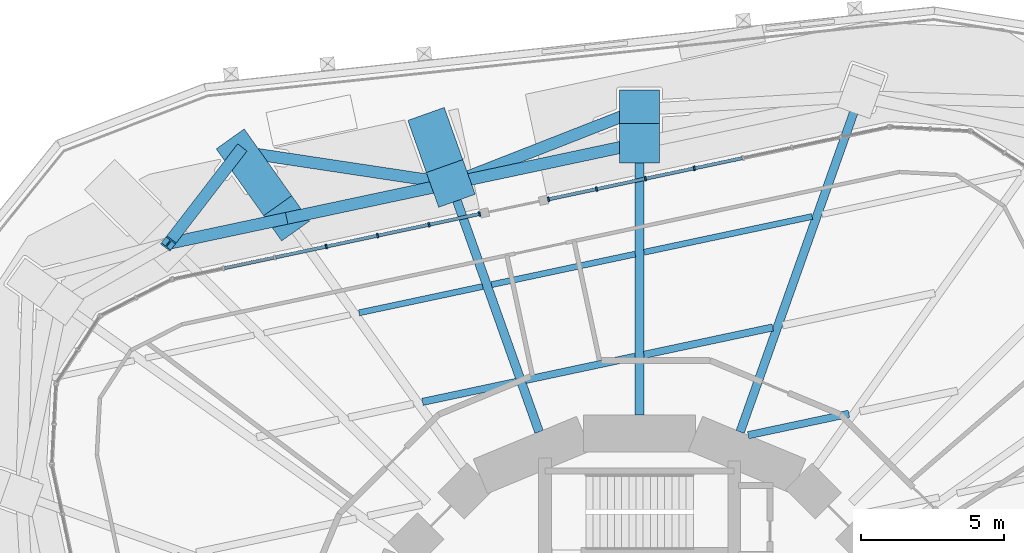
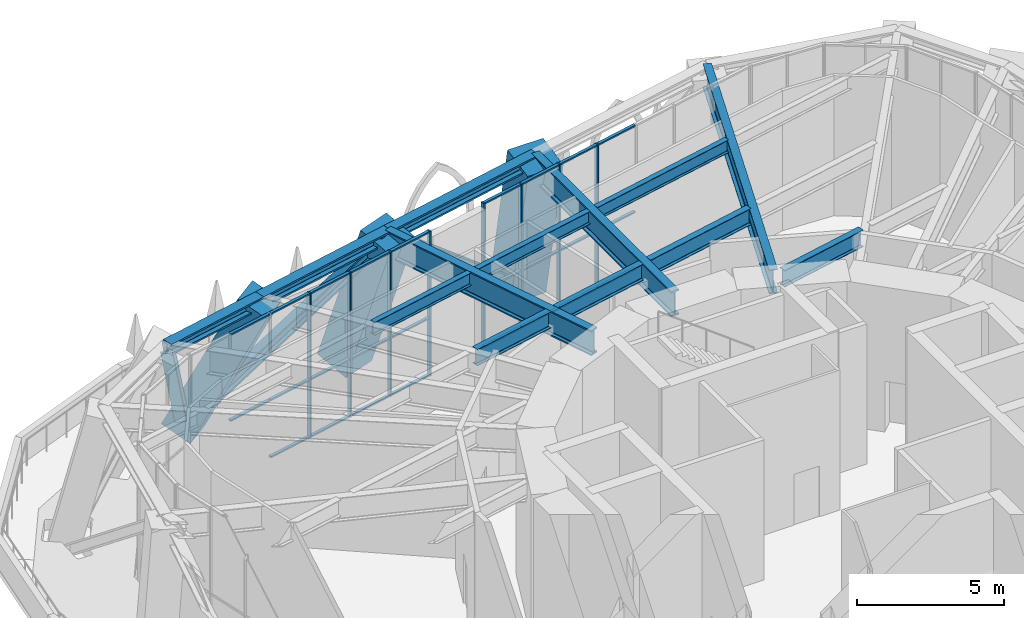
# One storey, part 9 of 23: 43 members, 10 beams, 2 elements without a shape of their own.
"""IFC4 building model written with IfcOpenShell, lengths in metres."""

from ifc_helpers import new_model, si_unit, direction, frame, origin, origin_2d, place, context, subcontext, project, spatial, rectangle, i_section, extrude, material, material_profile, profile_set, type_object, element, aggregate, save


model = new_model("IFC4")

# Units and contexts
model_context = context("Model", 3, precision=1e-05, world=origin(), true_north=direction((0.0, 1.0)))
body_context = subcontext(model_context, "Body", "Model", "MODEL_VIEW")
ifc_project = project(units=[si_unit("LENGTHUNIT", "METRE"), si_unit("AREAUNIT", "SQUARE_METRE"), si_unit("VOLUMEUNIT", "CUBIC_METRE"), si_unit("PLANEANGLEUNIT", "RADIAN"), si_unit("MASSUNIT", "GRAM", prefix="KILO")], contexts=[model_context])

# Site, building, storey
site_placement = place(None, origin())
site = spatial("IfcSite", under=ifc_project, at=site_placement, CompositionType="ELEMENT")
building_placement = place(site_placement, origin())
building = spatial("IfcBuilding", under=site, at=building_placement, Name="Nakasero Lantern House", CompositionType="ELEMENT")
storey_placement = place(building_placement, frame((0.0, 0.0, 95.14990234375)))
storey = spatial("IfcBuildingStorey", under=building, at=storey_placement, Name="L23", CompositionType="ELEMENT", Elevation=95.14990234375)

# Members
ifc_material_1 = material(Name="Steel S355", Category="steel")
ifc_material_profile_1 = material_profile(ifc_material_1, i_section(OverallWidth=0.41845703125, OverallDepth=0.45556640625, WebThickness=0.0419921875, FlangeThickness=0.0673828125, FilletRadius=0.01513671875, at=origin_2d()), Name="UC 356x406x551")
ifc_profile_set_1 = profile_set([ifc_material_profile_1], Name="Steel S355")
member_type_1 = type_object("IfcMemberType", Name="Belt truss chord UC 356x406x551", PredefinedType="CHORD", material=ifc_profile_set_1)
member_1_placement = place(storey_placement, frame((0.0, 19.935546875, 5.572265625), z_axis=(-0.978151574702, -0.20789299389, 0.0), x_axis=(0.20789299389, -0.978151574702, 0.0)))
element("IfcMember", 1, at=member_1_placement, inside=storey, type_object=member_type_1, Name="Belt truss top chord T2 B3-C09T", PredefinedType="CHORD", context=body_context, shape_type="SweptSolid", body=[
    extrude(i_section(OverallWidth=0.41845703125, OverallDepth=0.45556640625, WebThickness=0.0419921875, FlangeThickness=0.0673828125, FilletRadius=0.01513671875, at=origin_2d()), origin(), (0.0, 0.0, 1.0), 6.7373046875),
])
member_2_placement = place(storey_placement, frame((-6.590087890625, 18.534912109375, 5.572265625), z_axis=(-0.978149626621, -0.207902159541, 0.0), x_axis=(0.207902159541, -0.978149626621, 0.0)))
element("IfcMember", 2, at=member_2_placement, inside=storey, type_object=member_type_1, Name="Belt truss top chord T2 B3-C10T", PredefinedType="CHORD", context=body_context, shape_type="SweptSolid", body=[
    extrude(i_section(OverallWidth=0.41845703125, OverallDepth=0.45556640625, WebThickness=0.0419921875, FlangeThickness=0.0673828125, FilletRadius=0.01513671875, at=origin_2d()), origin(), (0.0, 0.0, 1.0), 5.852783203125),
])
member_3_placement = place(storey_placement, frame((-12.31494140625, 17.318115234375, 5.572265625), z_axis=(-0.978138252658, -0.207955665195, 0.0), x_axis=(0.207955665195, -0.978138252658, 0.0)))
element("IfcMember", 3, at=member_3_placement, inside=storey, type_object=member_type_1, Name="Belt truss top chord T2 B3-C11T", PredefinedType="CHORD", context=body_context, shape_type="SweptSolid", body=[
    extrude(i_section(OverallWidth=0.41845703125, OverallDepth=0.45556640625, WebThickness=0.0419921875, FlangeThickness=0.0673828125, FilletRadius=0.01513671875, at=origin_2d()), origin(), (0.0, 0.0, 1.0), 4.21826171875),
])
ifc_material_2 = material(Name="Steel S355", Category="steel")
ifc_material_profile_2 = material_profile(ifc_material_2, i_section(OverallWidth=0.412109375, OverallDepth=0.4365234375, WebThickness=0.035888671875, FlangeThickness=0.05810546875, FilletRadius=0.01513671875, at=origin_2d()), Name="UC 356x406x467")
ifc_profile_set_2 = profile_set([ifc_material_profile_2], Name="Steel S355")
member_type_2 = type_object("IfcMemberType", Name="Belt truss diagonal UC 356x406x467", PredefinedType="BRACE", material=ifc_profile_set_2)
member_4_placement = place(storey_placement, frame((0.0, 21.11572265625, -0.427734375), z_axis=(-0.710256558439, -0.278150708675, 0.646658955292), x_axis=(0.364654263958, -0.931142989974, 0.0)))
element("IfcMember", 4, at=member_4_placement, inside=storey, type_object=member_type_2, Name="Belt truss diagonal T2-09", PredefinedType="BRACE", context=body_context, shape_type="SweptSolid", body=[
    extrude(i_section(OverallWidth=0.412109375, OverallDepth=0.4365234375, WebThickness=0.035888671875, FlangeThickness=0.05810546875, FilletRadius=0.01513671875, at=origin_2d()), origin(), (0.0, 0.0, 1.0), 9.278564453125),
])
member_5_placement = place(storey_placement, frame((-6.590087890625, 18.534912109375, 5.572265625), z_axis=(-0.770726073188, 0.116141694432, -0.626492160305), x_axis=(-0.149008934664, -0.988835849568, 0.0)))
element("IfcMember", 5, at=member_5_placement, inside=storey, type_object=member_type_2, Name="Belt truss diagonal T2-10", PredefinedType="BRACE", context=body_context, shape_type="SweptSolid", body=[
    extrude(i_section(OverallWidth=0.412109375, OverallDepth=0.4365234375, WebThickness=0.035888671875, FlangeThickness=0.05810546875, FilletRadius=0.01513671875, at=origin_2d()), origin(), (0.0, 0.0, 1.0), 9.5771484375),
])
member_6_placement = place(storey_placement, frame((-13.971435546875, 19.647216796875, -0.427734375), z_axis=(-0.341215380998, -0.44302339087, 0.8290369949), x_axis=(0.792253817292, -0.610191682168, 0.0)))
element("IfcMember", 6, at=member_6_placement, inside=storey, type_object=member_type_2, Name="Belt truss diagonal T2-11", PredefinedType="BRACE", context=body_context, shape_type="SweptSolid", body=[
    extrude(i_section(OverallWidth=0.412109375, OverallDepth=0.4365234375, WebThickness=0.035888671875, FlangeThickness=0.05810546875, FilletRadius=0.01513671875, at=origin_2d()), origin(), (0.0, 0.0, 1.0), 7.2373046875),
])

# Beams
ifc_material_3 = material(Name="Steel S355", Category="steel")
ifc_material_profile_3 = material_profile(ifc_material_3, i_section(OverallWidth=0.2099609375, OverallDepth=0.53662109375, WebThickness=0.0107421875, FlangeThickness=0.017333984375, FilletRadius=0.0126953125, at=origin_2d()), Name="UB 533x210x101")
ifc_profile_set_3 = profile_set([ifc_material_profile_3], Name="Steel S355")
beam_type_1 = type_object("IfcBeamType", Name="Infill beam UB 533x210x101", PredefinedType="JOIST", material=ifc_profile_set_3)
beam_1_placement = place(storey_placement, frame((-9.786865234375, 14.021484375, 5.53173828125), z_axis=(0.978147166363, 0.20791373436, 0.0), x_axis=(-0.20791373436, 0.978147166363, 0.0)))
element("IfcBeam", 7, at=beam_1_placement, inside=storey, type_object=beam_type_1, Name="Infill beam L24 12.4", PredefinedType="JOIST", context=body_context, shape_type="SweptSolid", body=[
    extrude(i_section(OverallWidth=0.2099609375, OverallDepth=0.53662109375, WebThickness=0.0107421875, FlangeThickness=0.017333984375, FilletRadius=0.0126953125, at=origin_2d()), origin(), (0.0, 0.0, 1.0), 4.408203125),
])
beam_2_placement = place(storey_placement, frame((-5.170654296875, 15.0029296875, 5.53173828125), z_axis=(0.97815146998, 0.207893486611, 0.0), x_axis=(-0.207893486611, 0.97815146998, 0.0)))
element("IfcBeam", 8, at=beam_2_placement, inside=storey, type_object=beam_type_1, Name="Infill beam L24 12.5", PredefinedType="JOIST", context=body_context, shape_type="SweptSolid", body=[
    extrude(i_section(OverallWidth=0.2099609375, OverallDepth=0.53662109375, WebThickness=0.0107421875, FlangeThickness=0.017333984375, FilletRadius=0.0126953125, at=origin_2d()), origin(), (0.0, 0.0, 1.0), 5.12841796875),
])
beam_3_placement = place(storey_placement, frame((0.154296875, 16.134765625, 5.53173828125), z_axis=(0.978153677989, 0.207883097524, 0.0), x_axis=(-0.207883097524, 0.978153677989, 0.0)))
element("IfcBeam", 9, at=beam_3_placement, inside=storey, type_object=beam_type_1, Name="Infill beam L24 12.6", PredefinedType="JOIST", context=body_context, shape_type="SweptSolid", body=[
    extrude(i_section(OverallWidth=0.2099609375, OverallDepth=0.53662109375, WebThickness=0.0107421875, FlangeThickness=0.017333984375, FilletRadius=0.0126953125, at=origin_2d()), origin(), (0.0, 0.0, 1.0), 5.997802734375),
])
ifc_material_4 = material(Name="Steel S355", Category="steel")
ifc_material_profile_4 = material_profile(ifc_material_4, i_section(OverallWidth=0.253662109375, OverallDepth=0.68359375, WebThickness=0.012451171875, FlangeThickness=0.01904296875, FilletRadius=0.01513671875, at=origin_2d()), Name="UB 686x254x140")
ifc_profile_set_4 = profile_set([ifc_material_profile_4], Name="Steel S355")
beam_type_2 = type_object("IfcBeamType", Name="Infill beam UB 686x254x140", PredefinedType="JOIST", material=ifc_profile_set_4)
beam_4_placement = place(storey_placement, frame((-7.576416015625, 10.913330078125, 5.458251953125), z_axis=(0.978152197535, 0.207890063392, 0.0), x_axis=(-0.207890063392, 0.978152197535, 0.0)))
element("IfcBeam", 10, at=beam_4_placement, inside=storey, type_object=beam_type_2, Name="Infill beam L24 11.3", PredefinedType="JOIST", context=body_context, shape_type="SweptSolid", body=[
    extrude(i_section(OverallWidth=0.253662109375, OverallDepth=0.68359375, WebThickness=0.012451171875, FlangeThickness=0.01904296875, FilletRadius=0.01513671875, at=origin_2d()), origin(), (0.0, 0.0, 1.0), 3.357421875),
])
beam_5_placement = place(storey_placement, frame((-3.98779296875, 11.676025390625, 5.458251953125), z_axis=(0.978142065852, 0.207937728685, 0.0), x_axis=(-0.207937728685, 0.978142065852, 0.0)))
element("IfcBeam", 11, at=beam_5_placement, inside=storey, type_object=beam_type_2, Name="Infill beam L24 11.4", PredefinedType="JOIST", context=body_context, shape_type="SweptSolid", body=[
    extrude(i_section(OverallWidth=0.253662109375, OverallDepth=0.68359375, WebThickness=0.012451171875, FlangeThickness=0.01904296875, FilletRadius=0.01513671875, at=origin_2d()), origin(), (0.0, 0.0, 1.0), 3.919189453125),
])
beam_6_placement = place(storey_placement, frame((0.154296875, 12.556396484375, 5.458251953125), z_axis=(0.978142764349, 0.207934442919, 0.0), x_axis=(-0.207934442919, 0.978142764349, 0.0)))
element("IfcBeam", 12, at=beam_6_placement, inside=storey, type_object=beam_type_2, Name="Infill beam L24 11.5", PredefinedType="JOIST", context=body_context, shape_type="SweptSolid", body=[
    extrude(i_section(OverallWidth=0.253662109375, OverallDepth=0.68359375, WebThickness=0.012451171875, FlangeThickness=0.01904296875, FilletRadius=0.01513671875, at=origin_2d()), origin(), (0.0, 0.0, 1.0), 4.5908203125),
])
ifc_material_5 = material(Name="Steel S355", Category="steel")
ifc_material_profile_5 = material_profile(ifc_material_5, i_section(OverallWidth=0.255859375, OverallDepth=0.69287109375, WebThickness=0.014404296875, FlangeThickness=0.023681640625, FilletRadius=0.01513671875, at=origin_2d()), Name="UB 686x254x170")
ifc_profile_set_5 = profile_set([ifc_material_profile_5], Name="Steel S355")
beam_type_3 = type_object("IfcBeamType", Name="Infill beam UB 686x254x170", PredefinedType="JOIST", material=ifc_profile_set_5)
beam_7_placement = place(storey_placement, frame((3.78759765625, 9.75048828125, 5.45361328125), z_axis=(0.978149176892, 0.207904275439, 0.0), x_axis=(-0.207904275439, 0.978149176892, 0.0)))
element("IfcBeam", 13, at=beam_7_placement, inside=storey, type_object=beam_type_3, Name="Infill beam L24 10.4", PredefinedType="JOIST", context=body_context, shape_type="SweptSolid", body=[
    extrude(i_section(OverallWidth=0.255859375, OverallDepth=0.69287109375, WebThickness=0.014404296875, FlangeThickness=0.023681640625, FilletRadius=0.01513671875, at=origin_2d()), origin(), (0.0, 0.0, 1.0), 3.59228515625),
])

# Curtain wall, members
ifc_material_6 = material(Name="Aluminium 6063-T6 and glass", Category="aluminium")
curtain_wall_type = type_object("IfcCurtainWallType", Name="Sky lounge glazing CW-3", PredefinedType="USERDEFINED", material=ifc_material_6)
curtain_wall_1_placement = place(storey_placement, origin())
curtain_wall_1 = element("IfcCurtainWall", 14, at=curtain_wall_1_placement, inside=storey, type_object=curtain_wall_type, Name="Curtain wall CW-3 L23", ObjectType="STICK CURTAIN WALL", PredefinedType="USERDEFINED")
ifc_material_7 = material(Name="Aluminium 6063-T6", Category="aluminium")
ifc_material_profile_6 = material_profile(ifc_material_7, rectangle(XDim=0.06005859375, YDim=0.159912109375, at=origin_2d()), Name="CW-3 mullion 60x160")
ifc_profile_set_6 = profile_set([ifc_material_profile_6], Name="Aluminium 6063-T6")
member_type_3 = type_object("IfcMemberType", Name="Mullion CW-3", PredefinedType="MULLION", material=ifc_profile_set_6)
member_7_placement = place(storey_placement, frame((1.90673828125, 19.06298828125, 0.0), z_axis=(0.0, 0.0, 1.0), x_axis=(-0.978147600734, -0.207911690818, 0.0)))
member_7 = element("IfcMember", 15, at=member_7_placement, type_object=member_type_3, Name="CW-3 mullion 5", PredefinedType="MULLION", context=body_context, shape_type="SweptSolid", body=[
    extrude(rectangle(XDim=0.06005859375, YDim=0.159912109375, at=origin_2d()), origin(), (0.0, 0.0, 1.0), 6.0),
])
member_8_placement = place(storey_placement, frame((0.2021484375, 18.70068359375, 0.0), z_axis=(0.0, 0.0, 1.0), x_axis=(-0.978147600734, -0.207911690818, 0.0)))
member_8 = element("IfcMember", 16, at=member_8_placement, type_object=member_type_3, Name="CW-3 mullion 6", PredefinedType="MULLION", context=body_context, shape_type="SweptSolid", body=[
    extrude(rectangle(XDim=0.06005859375, YDim=0.159912109375, at=origin_2d()), origin(), (0.0, 0.0, 1.0), 6.0),
])
member_9_placement = place(storey_placement, frame((-1.502685546875, 18.33837890625, 0.0), z_axis=(0.0, 0.0, 1.0), x_axis=(-0.978147600734, -0.207911690818, 0.0)))
member_9 = element("IfcMember", 17, at=member_9_placement, type_object=member_type_3, Name="CW-3 mullion 7", PredefinedType="MULLION", context=body_context, shape_type="SweptSolid", body=[
    extrude(rectangle(XDim=0.06005859375, YDim=0.159912109375, at=origin_2d()), origin(), (0.0, 0.0, 1.0), 6.0),
])
member_10_placement = place(storey_placement, frame((-3.17822265625, 17.982177734375, 0.0), z_axis=(0.0, 0.0, 1.0), x_axis=(-0.978147600734, -0.207911690818, 0.0)))
member_10 = element("IfcMember", 18, at=member_10_placement, type_object=member_type_3, Name="CW-3 mullion 8", PredefinedType="MULLION", context=body_context, shape_type="SweptSolid", body=[
    extrude(rectangle(XDim=0.06005859375, YDim=0.159912109375, at=origin_2d()), origin(), (0.0, 0.0, 1.0), 6.0),
])

curtain_wall_2_placement = place(storey_placement, origin())
curtain_wall_2 = element("IfcCurtainWall", 19, at=curtain_wall_2_placement, inside=storey, type_object=curtain_wall_type, Name="Curtain wall CW-3 L23", ObjectType="STICK CURTAIN WALL", PredefinedType="USERDEFINED")
member_11_placement = place(storey_placement, frame((-5.58447265625, 17.470703125, 0.0), z_axis=(0.0, 0.0, 1.0), x_axis=(-0.978147600734, -0.207911690818, 0.0)))
member_11 = element("IfcMember", 20, at=member_11_placement, type_object=member_type_3, Name="CW-3 mullion 1", PredefinedType="MULLION", context=body_context, shape_type="SweptSolid", body=[
    extrude(rectangle(XDim=0.06005859375, YDim=0.159912109375, at=origin_2d()), origin(), (0.0, 0.0, 1.0), 6.0),
])
member_12_placement = place(storey_placement, frame((-7.348388671875, 17.095703125, 0.0), z_axis=(0.0, 0.0, 1.0), x_axis=(-0.978147600734, -0.207911690818, 0.0)))
member_12 = element("IfcMember", 21, at=member_12_placement, type_object=member_type_3, Name="CW-3 mullion 2", PredefinedType="MULLION", context=body_context, shape_type="SweptSolid", body=[
    extrude(rectangle(XDim=0.06005859375, YDim=0.159912109375, at=origin_2d()), origin(), (0.0, 0.0, 1.0), 6.0),
])
member_13_placement = place(storey_placement, frame((-9.1416015625, 16.714599609375, 0.0), z_axis=(0.0, 0.0, 1.0), x_axis=(-0.978147600734, -0.207911690818, 0.0)))
member_13 = element("IfcMember", 22, at=member_13_placement, type_object=member_type_3, Name="CW-3 mullion 3", PredefinedType="MULLION", context=body_context, shape_type="SweptSolid", body=[
    extrude(rectangle(XDim=0.06005859375, YDim=0.159912109375, at=origin_2d()), origin(), (0.0, 0.0, 1.0), 6.0),
])
member_14_placement = place(storey_placement, frame((-10.934814453125, 16.33349609375, 0.0), z_axis=(0.0, 0.0, 1.0), x_axis=(-0.978147600734, -0.207911690818, 0.0)))
member_14 = element("IfcMember", 23, at=member_14_placement, type_object=member_type_3, Name="CW-3 mullion 4", PredefinedType="MULLION", context=body_context, shape_type="SweptSolid", body=[
    extrude(rectangle(XDim=0.06005859375, YDim=0.159912109375, at=origin_2d()), origin(), (0.0, 0.0, 1.0), 6.0),
])

# Beams
ifc_material_8 = material(Name="Steel S355", Category="steel")
ifc_material_profile_7 = material_profile(ifc_material_8, i_section(OverallWidth=0.300048828125, OverallDepth=0.989990234375, WebThickness=0.0166015625, FlangeThickness=0.031005859375, FilletRadius=0.030029296875, at=origin_2d()), Name="UB 1016x305x272")
ifc_profile_set_7 = profile_set([ifc_material_profile_7], Name="Steel S355")
beam_type_4 = type_object("IfcBeamType", Name="Primary beam UB 1016x305x272, span 12 to 15 m", PredefinedType="BEAM", material=ifc_profile_set_7)
beam_8_placement = place(storey_placement, frame((7.667724609375, 21.5654296875, 5.304931640625), z_axis=(-0.335011995103, -0.942213862739, 0.0), x_axis=(0.942213862739, -0.335011995103, 0.0)))
element("IfcBeam", 24, at=beam_8_placement, inside=storey, type_object=beam_type_4, Name="Primary beam L24 B3-C08T", PredefinedType="BEAM", context=body_context, shape_type="SweptSolid", body=[
    extrude(i_section(OverallWidth=0.300048828125, OverallDepth=0.989990234375, WebThickness=0.0166015625, FlangeThickness=0.031005859375, FilletRadius=0.030029296875, at=origin_2d()), origin(), (0.0, 0.0, 1.0), 12.41650390625),
])
ifc_material_9 = material(Name="Steel S355", Category="steel")
ifc_material_profile_8 = material_profile(ifc_material_9, i_section(OverallWidth=0.30859375, OverallDepth=1.036376953125, WebThickness=0.030029296875, FlangeThickness=0.05419921875, FilletRadius=0.030029296875, at=origin_2d()), Name="UB 1016x305x487")
ifc_profile_set_8 = profile_set([ifc_material_profile_8], Name="Steel S355")
beam_type_5 = type_object("IfcBeamType", Name="Primary beam UB 1016x305x487, span 9 to 12 m", PredefinedType="BEAM", material=ifc_profile_set_8)
beam_9_placement = place(storey_placement, frame((0.0, 19.935546875, 5.281982421875), z_axis=(0.0, -1.0, 0.0), x_axis=(1.0, 0.0, 0.0)))
element("IfcBeam", 25, at=beam_9_placement, inside=storey, type_object=beam_type_5, Name="Primary beam L24 B3-C09T", PredefinedType="BEAM", context=body_context, shape_type="SweptSolid", body=[
    extrude(i_section(OverallWidth=0.30859375, OverallDepth=1.036376953125, WebThickness=0.030029296875, FlangeThickness=0.05419921875, FilletRadius=0.030029296875, at=origin_2d()), origin(), (0.0, 0.0, 1.0), 9.477783203125),
])
beam_10_placement = place(storey_placement, frame((-6.590087890625, 18.534912109375, 5.281982421875), z_axis=(0.335001291255, -0.942217668513, 0.0), x_axis=(0.942217668513, 0.335001291255, 0.0)))
element("IfcBeam", 26, at=beam_10_placement, inside=storey, type_object=beam_type_5, Name="Primary beam L24 B3-C10T", PredefinedType="BEAM", context=body_context, shape_type="SweptSolid", body=[
    extrude(i_section(OverallWidth=0.30859375, OverallDepth=1.036376953125, WebThickness=0.030029296875, FlangeThickness=0.05419921875, FilletRadius=0.030029296875, at=origin_2d()), origin(), (0.0, 0.0, 1.0), 9.199951171875),
])

# Members
ifc_material_10 = material(Name="Concrete C50/60", Category="concrete")
ifc_material_profile_9 = material_profile(ifc_material_10, rectangle(XDim=1.199951171875, YDim=1.199951171875, at=origin_2d()), Name="RC 1200x1200")
ifc_profile_set_9 = profile_set([ifc_material_profile_9], Name="Concrete C50/60")
member_type_4 = type_object("IfcMemberType", Name="Raking column RC 1200x1200 C50/60", PredefinedType="STRUT", material=ifc_profile_set_9)
member_15_placement = place(storey_placement, frame((-13.971435546875, 19.647216796875, -0.427734375), z_axis=(0.249248561076, -0.350454130091, 0.902805104939), x_axis=(0.814914979519, 0.579580517405, 0.0)))
element("IfcMember", 27, at=member_15_placement, inside=storey, type_object=member_type_4, Name="Raking column B3-C11T L23", PredefinedType="STRUT", context=body_context, shape_type="SweptSolid", body=[
    extrude(rectangle(XDim=1.199951171875, YDim=1.199951171875, at=origin_2d()), origin(), (0.0, 0.0, 1.0), 6.64599609375),
])
ifc_material_11 = material(Name="Concrete C50/60", Category="concrete")
ifc_material_profile_10 = material_profile(ifc_material_11, rectangle(XDim=1.35009765625, YDim=1.35009765625, at=origin_2d()), Name="RC 1350x1350")
ifc_profile_set_10 = profile_set([ifc_material_profile_10], Name="Concrete C50/60")
member_type_5 = type_object("IfcMemberType", Name="Raking column RC 1350x1350 C50/60", PredefinedType="STRUT", material=ifc_profile_set_10)
member_16_placement = place(storey_placement, frame((-7.2373046875, 20.35498046875, -0.427734375), z_axis=(0.102679108448, -0.288748681055, 0.951882975936), x_axis=(0.942201391668, 0.335047067647, 0.0)))
element("IfcMember", 28, at=member_16_placement, inside=storey, type_object=member_type_5, Name="Raking column B3-C10T L23", PredefinedType="STRUT", context=body_context, shape_type="SweptSolid", body=[
    extrude(rectangle(XDim=1.35009765625, YDim=1.35009765625, at=origin_2d()), origin(), (0.0, 0.0, 1.0), 6.30322265625),
])
ifc_material_12 = material(Name="Concrete C50/60", Category="concrete")
ifc_material_profile_11 = material_profile(ifc_material_12, rectangle(XDim=1.39990234375, YDim=1.39990234375, at=origin_2d()), Name="RC 1400x1400")
ifc_profile_set_11 = profile_set([ifc_material_profile_11], Name="Concrete C50/60")
member_type_6 = type_object("IfcMemberType", Name="Raking column RC 1400x1400 C50/60", PredefinedType="STRUT", material=ifc_profile_set_11)
member_17_placement = place(storey_placement, frame((0.0, 21.11572265625, -0.427734375), z_axis=(0.0, -0.192997915508, 0.981199166637), x_axis=(1.0, 0.0, 0.0)))
element("IfcMember", 29, at=member_17_placement, inside=storey, type_object=member_type_6, Name="Raking column B3-C09T L23", PredefinedType="STRUT", context=body_context, shape_type="SweptSolid", body=[
    extrude(rectangle(XDim=1.39990234375, YDim=1.39990234375, at=origin_2d()), origin(), (0.0, 0.0, 1.0), 6.114990234375),
])

# Member
ifc_material_13 = material(Name="Aluminium 6063-T6", Category="aluminium")
ifc_material_profile_12 = material_profile(ifc_material_13, rectangle(XDim=0.06005859375, YDim=0.1201171875, at=origin_2d()), Name="CW-3 transom 60x120")
ifc_profile_set_12 = profile_set([ifc_material_profile_12], Name="Aluminium 6063-T6")
member_type_7 = type_object("IfcMemberType", Name="Transom CW-3", PredefinedType="USERDEFINED", material=ifc_profile_set_12)
member_18_placement = place(storey_placement, frame((3.582275390625, 19.419189453125, 0.030029296875), z_axis=(-0.978149262994, -0.207903870346, 0.0), x_axis=(0.0, 0.0, 1.0)))
member_18 = element("IfcMember", 30, at=member_18_placement, type_object=member_type_7, Name="CW-3 transom 4.1", ObjectType="TRANSOM", PredefinedType="USERDEFINED", context=body_context, shape_type="SweptSolid", body=[
    extrude(rectangle(XDim=0.06005859375, YDim=0.1201171875, at=origin_2d()), origin(), (0.0, 0.0, 1.0), 1.682861328125),
])

member_19_placement = place(storey_placement, frame((3.582275390625, 19.419189453125, 2.400146484375), z_axis=(-0.978149262994, -0.207903870346, 0.0), x_axis=(0.0, 0.0, 1.0)))
member_19 = element("IfcMember", 31, at=member_19_placement, type_object=member_type_7, Name="CW-3 transom 4.2", ObjectType="TRANSOM", PredefinedType="USERDEFINED", context=body_context, shape_type="SweptSolid", body=[
    extrude(rectangle(XDim=0.06005859375, YDim=0.1201171875, at=origin_2d()), origin(), (0.0, 0.0, 1.0), 1.682861328125),
])

member_20_placement = place(storey_placement, frame((3.582275390625, 19.419189453125, 5.97021484375), z_axis=(-0.978149262994, -0.207903870346, 0.0), x_axis=(0.0, 0.0, 1.0)))
member_20 = element("IfcMember", 32, at=member_20_placement, type_object=member_type_7, Name="CW-3 transom 4.3", ObjectType="TRANSOM", PredefinedType="USERDEFINED", context=body_context, shape_type="SweptSolid", body=[
    extrude(rectangle(XDim=0.06005859375, YDim=0.1201171875, at=origin_2d()), origin(), (0.0, 0.0, 1.0), 1.682861328125),
])

member_21_placement = place(storey_placement, frame((1.87744140625, 19.056884765625, 0.030029296875), z_axis=(-0.978119749818, -0.208042675948, 0.0), x_axis=(0.0, 0.0, 1.0)))
member_21 = element("IfcMember", 33, at=member_21_placement, type_object=member_type_7, Name="CW-3 transom 5.1", ObjectType="TRANSOM", PredefinedType="USERDEFINED", context=body_context, shape_type="SweptSolid", body=[
    extrude(rectangle(XDim=0.06005859375, YDim=0.1201171875, at=origin_2d()), origin(), (0.0, 0.0, 1.0), 1.682861328125),
])

member_22_placement = place(storey_placement, frame((1.87744140625, 19.056884765625, 2.400146484375), z_axis=(-0.978119749818, -0.208042675948, 0.0), x_axis=(0.0, 0.0, 1.0)))
member_22 = element("IfcMember", 34, at=member_22_placement, type_object=member_type_7, Name="CW-3 transom 5.2", ObjectType="TRANSOM", PredefinedType="USERDEFINED", context=body_context, shape_type="SweptSolid", body=[
    extrude(rectangle(XDim=0.06005859375, YDim=0.1201171875, at=origin_2d()), origin(), (0.0, 0.0, 1.0), 1.682861328125),
])

member_23_placement = place(storey_placement, frame((1.87744140625, 19.056884765625, 5.97021484375), z_axis=(-0.978119749818, -0.208042675948, 0.0), x_axis=(0.0, 0.0, 1.0)))
member_23 = element("IfcMember", 35, at=member_23_placement, type_object=member_type_7, Name="CW-3 transom 5.3", ObjectType="TRANSOM", PredefinedType="USERDEFINED", context=body_context, shape_type="SweptSolid", body=[
    extrude(rectangle(XDim=0.06005859375, YDim=0.1201171875, at=origin_2d()), origin(), (0.0, 0.0, 1.0), 1.682861328125),
])

member_24_placement = place(storey_placement, frame((0.172607421875, 18.6943359375, 0.030029296875), z_axis=(-0.978149262994, -0.207903870346, 0.0), x_axis=(0.0, 0.0, 1.0)))
member_24 = element("IfcMember", 36, at=member_24_placement, type_object=member_type_7, Name="CW-3 transom 6.1", ObjectType="TRANSOM", PredefinedType="USERDEFINED", context=body_context, shape_type="SweptSolid", body=[
    extrude(rectangle(XDim=0.06005859375, YDim=0.1201171875, at=origin_2d()), origin(), (0.0, 0.0, 1.0), 1.682861328125),
])

member_25_placement = place(storey_placement, frame((0.172607421875, 18.6943359375, 2.400146484375), z_axis=(-0.978149262994, -0.207903870346, 0.0), x_axis=(0.0, 0.0, 1.0)))
member_25 = element("IfcMember", 37, at=member_25_placement, type_object=member_type_7, Name="CW-3 transom 6.2", ObjectType="TRANSOM", PredefinedType="USERDEFINED", context=body_context, shape_type="SweptSolid", body=[
    extrude(rectangle(XDim=0.06005859375, YDim=0.1201171875, at=origin_2d()), origin(), (0.0, 0.0, 1.0), 1.682861328125),
])

member_26_placement = place(storey_placement, frame((0.172607421875, 18.6943359375, 5.97021484375), z_axis=(-0.978149262994, -0.207903870346, 0.0), x_axis=(0.0, 0.0, 1.0)))
member_26 = element("IfcMember", 38, at=member_26_placement, type_object=member_type_7, Name="CW-3 transom 6.3", ObjectType="TRANSOM", PredefinedType="USERDEFINED", context=body_context, shape_type="SweptSolid", body=[
    extrude(rectangle(XDim=0.06005859375, YDim=0.1201171875, at=origin_2d()), origin(), (0.0, 0.0, 1.0), 1.682861328125),
])

member_27_placement = place(storey_placement, frame((-1.531982421875, 18.33203125, 0.030029296875), z_axis=(-0.978170485533, -0.207803997153, 0.0), x_axis=(0.0, 0.0, 1.0)))
member_27 = element("IfcMember", 39, at=member_27_placement, type_object=member_type_7, Name="CW-3 transom 7.1", ObjectType="TRANSOM", PredefinedType="USERDEFINED", context=body_context, shape_type="SweptSolid", body=[
    extrude(rectangle(XDim=0.06005859375, YDim=0.1201171875, at=origin_2d()), origin(), (0.0, 0.0, 1.0), 1.653076171875),
])

member_28_placement = place(storey_placement, frame((-1.531982421875, 18.33203125, 2.400146484375), z_axis=(-0.978170485533, -0.207803997153, 0.0), x_axis=(0.0, 0.0, 1.0)))
member_28 = element("IfcMember", 40, at=member_28_placement, type_object=member_type_7, Name="CW-3 transom 7.2", ObjectType="TRANSOM", PredefinedType="USERDEFINED", context=body_context, shape_type="SweptSolid", body=[
    extrude(rectangle(XDim=0.06005859375, YDim=0.1201171875, at=origin_2d()), origin(), (0.0, 0.0, 1.0), 1.653076171875),
])

member_29_placement = place(storey_placement, frame((-1.531982421875, 18.33203125, 5.97021484375), z_axis=(-0.978170485533, -0.207803997153, 0.0), x_axis=(0.0, 0.0, 1.0)))
member_29 = element("IfcMember", 41, at=member_29_placement, type_object=member_type_7, Name="CW-3 transom 7.3", ObjectType="TRANSOM", PredefinedType="USERDEFINED", context=body_context, shape_type="SweptSolid", body=[
    extrude(rectangle(XDim=0.06005859375, YDim=0.1201171875, at=origin_2d()), origin(), (0.0, 0.0, 1.0), 1.653076171875),
])

aggregate(curtain_wall_1, [member_7, member_8, member_9, member_10, member_18, member_19, member_20, member_21, member_22, member_23, member_24, member_25, member_26, member_27, member_28, member_29])

member_30_placement = place(storey_placement, frame((-5.61376953125, 17.464599609375, 0.030029296875), z_axis=(-0.97813927235, -0.207950868925, 0.0), x_axis=(0.0, 0.0, 1.0)))
member_30 = element("IfcMember", 42, at=member_30_placement, type_object=member_type_7, Name="CW-3 transom 1.1", ObjectType="TRANSOM", PredefinedType="USERDEFINED", context=body_context, shape_type="SweptSolid", body=[
    extrude(rectangle(XDim=0.06005859375, YDim=0.1201171875, at=origin_2d()), origin(), (0.0, 0.0, 1.0), 1.743408203125),
])

member_31_placement = place(storey_placement, frame((-5.61376953125, 17.464599609375, 2.400146484375), z_axis=(-0.97813927235, -0.207950868925, 0.0), x_axis=(0.0, 0.0, 1.0)))
member_31 = element("IfcMember", 43, at=member_31_placement, type_object=member_type_7, Name="CW-3 transom 1.2", ObjectType="TRANSOM", PredefinedType="USERDEFINED", context=body_context, shape_type="SweptSolid", body=[
    extrude(rectangle(XDim=0.06005859375, YDim=0.1201171875, at=origin_2d()), origin(), (0.0, 0.0, 1.0), 1.743408203125),
])

member_32_placement = place(storey_placement, frame((-5.61376953125, 17.464599609375, 5.97021484375), z_axis=(-0.97813927235, -0.207950868925, 0.0), x_axis=(0.0, 0.0, 1.0)))
member_32 = element("IfcMember", 44, at=member_32_placement, type_object=member_type_7, Name="CW-3 transom 1.3", ObjectType="TRANSOM", PredefinedType="USERDEFINED", context=body_context, shape_type="SweptSolid", body=[
    extrude(rectangle(XDim=0.06005859375, YDim=0.1201171875, at=origin_2d()), origin(), (0.0, 0.0, 1.0), 1.743408203125),
])

member_33_placement = place(storey_placement, frame((-7.377685546875, 17.089599609375, 0.030029296875), z_axis=(-0.978153602266, -0.207883453824, 0.0), x_axis=(0.0, 0.0, 1.0)))
member_33 = element("IfcMember", 45, at=member_33_placement, type_object=member_type_7, Name="CW-3 transom 2.1", ObjectType="TRANSOM", PredefinedType="USERDEFINED", context=body_context, shape_type="SweptSolid", body=[
    extrude(rectangle(XDim=0.06005859375, YDim=0.1201171875, at=origin_2d()), origin(), (0.0, 0.0, 1.0), 1.7734375),
])

member_34_placement = place(storey_placement, frame((-7.377685546875, 17.089599609375, 2.400146484375), z_axis=(-0.978153602266, -0.207883453824, 0.0), x_axis=(0.0, 0.0, 1.0)))
member_34 = element("IfcMember", 46, at=member_34_placement, type_object=member_type_7, Name="CW-3 transom 2.2", ObjectType="TRANSOM", PredefinedType="USERDEFINED", context=body_context, shape_type="SweptSolid", body=[
    extrude(rectangle(XDim=0.06005859375, YDim=0.1201171875, at=origin_2d()), origin(), (0.0, 0.0, 1.0), 1.7734375),
])

member_35_placement = place(storey_placement, frame((-7.377685546875, 17.089599609375, 5.97021484375), z_axis=(-0.978153602266, -0.207883453824, 0.0), x_axis=(0.0, 0.0, 1.0)))
member_35 = element("IfcMember", 47, at=member_35_placement, type_object=member_type_7, Name="CW-3 transom 2.3", ObjectType="TRANSOM", PredefinedType="USERDEFINED", context=body_context, shape_type="SweptSolid", body=[
    extrude(rectangle(XDim=0.06005859375, YDim=0.1201171875, at=origin_2d()), origin(), (0.0, 0.0, 1.0), 1.7734375),
])

member_36_placement = place(storey_placement, frame((-9.1708984375, 16.708251953125, 0.030029296875), z_axis=(-0.978153602266, -0.207883453824, 0.0), x_axis=(0.0, 0.0, 1.0)))
member_36 = element("IfcMember", 48, at=member_36_placement, type_object=member_type_7, Name="CW-3 transom 3.1", ObjectType="TRANSOM", PredefinedType="USERDEFINED", context=body_context, shape_type="SweptSolid", body=[
    extrude(rectangle(XDim=0.06005859375, YDim=0.1201171875, at=origin_2d()), origin(), (0.0, 0.0, 1.0), 1.7734375),
])

member_37_placement = place(storey_placement, frame((-9.1708984375, 16.708251953125, 2.400146484375), z_axis=(-0.978153602266, -0.207883453824, 0.0), x_axis=(0.0, 0.0, 1.0)))
member_37 = element("IfcMember", 49, at=member_37_placement, type_object=member_type_7, Name="CW-3 transom 3.2", ObjectType="TRANSOM", PredefinedType="USERDEFINED", context=body_context, shape_type="SweptSolid", body=[
    extrude(rectangle(XDim=0.06005859375, YDim=0.1201171875, at=origin_2d()), origin(), (0.0, 0.0, 1.0), 1.7734375),
])

member_38_placement = place(storey_placement, frame((-9.1708984375, 16.708251953125, 5.97021484375), z_axis=(-0.978153602266, -0.207883453824, 0.0), x_axis=(0.0, 0.0, 1.0)))
member_38 = element("IfcMember", 50, at=member_38_placement, type_object=member_type_7, Name="CW-3 transom 3.3", ObjectType="TRANSOM", PredefinedType="USERDEFINED", context=body_context, shape_type="SweptSolid", body=[
    extrude(rectangle(XDim=0.06005859375, YDim=0.1201171875, at=origin_2d()), origin(), (0.0, 0.0, 1.0), 1.7734375),
])

member_39_placement = place(storey_placement, frame((-10.964111328125, 16.3271484375, 0.030029296875), z_axis=(-0.978153602266, -0.207883453824, 0.0), x_axis=(0.0, 0.0, 1.0)))
member_39 = element("IfcMember", 51, at=member_39_placement, type_object=member_type_7, Name="CW-3 transom 4.1", ObjectType="TRANSOM", PredefinedType="USERDEFINED", context=body_context, shape_type="SweptSolid", body=[
    extrude(rectangle(XDim=0.06005859375, YDim=0.1201171875, at=origin_2d()), origin(), (0.0, 0.0, 1.0), 1.7734375),
])

member_40_placement = place(storey_placement, frame((-10.964111328125, 16.3271484375, 2.400146484375), z_axis=(-0.978153602266, -0.207883453824, 0.0), x_axis=(0.0, 0.0, 1.0)))
member_40 = element("IfcMember", 52, at=member_40_placement, type_object=member_type_7, Name="CW-3 transom 4.2", ObjectType="TRANSOM", PredefinedType="USERDEFINED", context=body_context, shape_type="SweptSolid", body=[
    extrude(rectangle(XDim=0.06005859375, YDim=0.1201171875, at=origin_2d()), origin(), (0.0, 0.0, 1.0), 1.7734375),
])

member_41_placement = place(storey_placement, frame((-10.964111328125, 16.3271484375, 5.97021484375), z_axis=(-0.978153602266, -0.207883453824, 0.0), x_axis=(0.0, 0.0, 1.0)))
member_41 = element("IfcMember", 53, at=member_41_placement, type_object=member_type_7, Name="CW-3 transom 4.3", ObjectType="TRANSOM", PredefinedType="USERDEFINED", context=body_context, shape_type="SweptSolid", body=[
    extrude(rectangle(XDim=0.06005859375, YDim=0.1201171875, at=origin_2d()), origin(), (0.0, 0.0, 1.0), 1.7734375),
])

member_42_placement = place(storey_placement, frame((-12.757568359375, 15.946044921875, 2.400146484375), z_axis=(-0.978147651532, -0.207911451832, 0.0), x_axis=(0.0, 0.0, 1.0)))
member_42 = element("IfcMember", 54, at=member_42_placement, type_object=member_type_7, Name="CW-3 transom 5.2", ObjectType="TRANSOM", PredefinedType="USERDEFINED", context=body_context, shape_type="SweptSolid", body=[
    extrude(rectangle(XDim=0.06005859375, YDim=0.1201171875, at=origin_2d()), origin(), (0.0, 0.0, 1.0), 1.773193359375),
])

member_43_placement = place(storey_placement, frame((-12.757568359375, 15.946044921875, 5.97021484375), z_axis=(-0.978147651532, -0.207911451832, 0.0), x_axis=(0.0, 0.0, 1.0)))
member_43 = element("IfcMember", 55, at=member_43_placement, type_object=member_type_7, Name="CW-3 transom 5.3", ObjectType="TRANSOM", PredefinedType="USERDEFINED", context=body_context, shape_type="SweptSolid", body=[
    extrude(rectangle(XDim=0.06005859375, YDim=0.1201171875, at=origin_2d()), origin(), (0.0, 0.0, 1.0), 1.773193359375),
])

aggregate(curtain_wall_2, [member_11, member_12, member_13, member_14, member_30, member_31, member_32, member_33, member_34, member_35, member_36, member_37, member_38, member_39, member_40, member_41, member_42, member_43])

save(model, "model.ifc")
